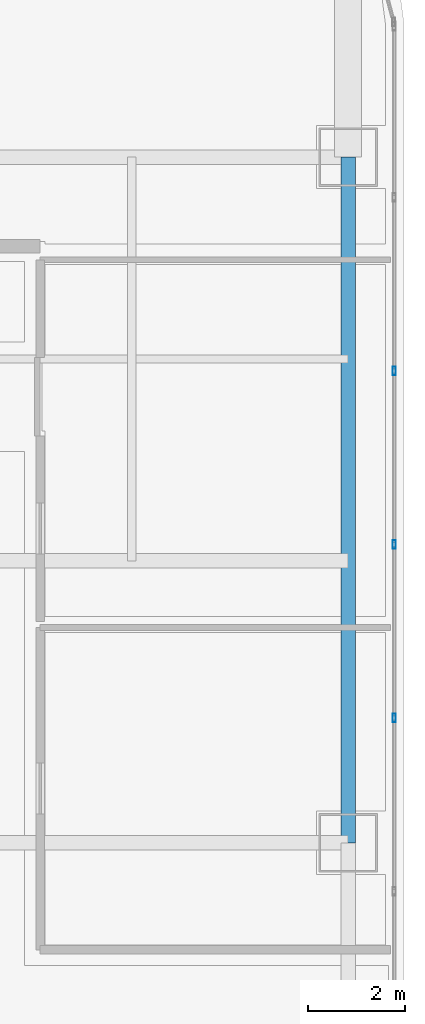
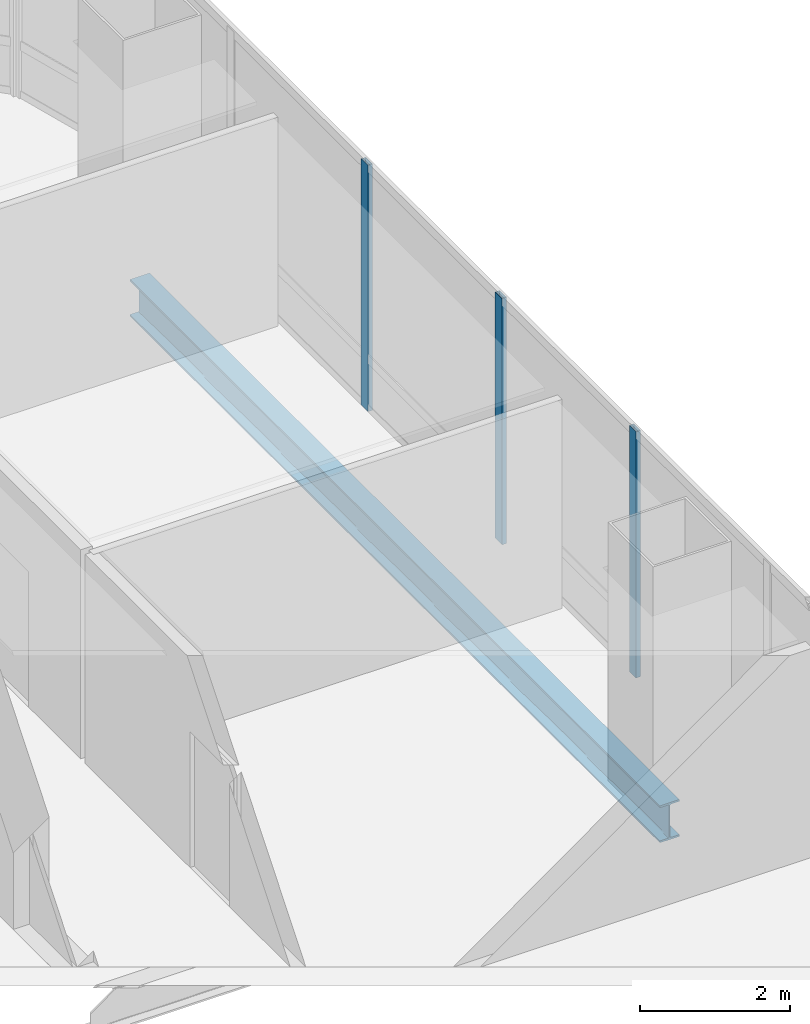
# One storey, part 20 of 42: 3 members, 1 beam, 1 element without a shape of its own.
"""IFC4 building model written with IfcOpenShell, lengths in metres."""

from ifc_helpers import new_model, si_unit, direction, frame, origin, origin_2d, place, context, subcontext, project, spatial, hollow_rectangle, i_section, extrude, material, material_profile, profile_set, type_object, element, aggregate, save


model = new_model("IFC4")

# Units and contexts
model_context = context("Model", 3, precision=1e-05, world=origin(), true_north=direction((0.0, 1.0)))
body_context = subcontext(model_context, "Body", "Model", "MODEL_VIEW")
ifc_project = project(units=[si_unit("LENGTHUNIT", "METRE"), si_unit("AREAUNIT", "SQUARE_METRE"), si_unit("VOLUMEUNIT", "CUBIC_METRE"), si_unit("PLANEANGLEUNIT", "RADIAN"), si_unit("MASSUNIT", "GRAM", prefix="KILO")], contexts=[model_context])

# Site, building, storey
site_placement = place(None, origin())
site = spatial("IfcSite", under=ifc_project, at=site_placement, CompositionType="ELEMENT")
building_placement = place(site_placement, origin())
building = spatial("IfcBuilding", under=site, at=building_placement, Name="Punatoya Terracotta Tower", CompositionType="ELEMENT")
storey_placement = place(building_placement, frame((0.0, 0.0, 304.800048828125)))
storey = spatial("IfcBuildingStorey", under=building, at=storey_placement, Name="L72", CompositionType="ELEMENT", Elevation=304.800048828125)

# Beam
ifc_material_1 = material(Name="Steel S355", Category="steel")
ifc_material_profile_1 = material_profile(ifc_material_1, i_section(OverallWidth=0.300048828125, OverallDepth=0.60009765625, WebThickness=0.015380859375, FlangeThickness=0.030029296875, FilletRadius=0.01806640625, at=origin_2d()))
ifc_profile_set_1 = profile_set([ifc_material_profile_1], Name="Steel S355")
beam_type = type_object("IfcBeamType", Name="BM-PRI-600", PredefinedType="BEAM", material=ifc_profile_set_1)
beam_placement = place(storey_placement, frame((19.10009765625, 3.39990234375, -0.5), z_axis=(0.0, 1.0, 0.0), x_axis=(-1.0, 0.0, 0.0)))
element("IfcBeam", 1, at=beam_placement, inside=storey, type_object=beam_type, Name="BM-L72-RG-E3", PredefinedType="BEAM", context=body_context, shape_type="SweptSolid", body=[
    extrude(i_section(OverallWidth=0.300048828125, OverallDepth=0.60009765625, WebThickness=0.015380859375, FlangeThickness=0.030029296875, FilletRadius=0.01806640625, at=origin_2d()), origin(), (0.0, 0.0, 1.0), 14.10009765625),
])

# Curtain wall, members
ifc_material_2 = material(Name="Aluminium 6063-T6 + Double Low-E Glass", Category="aluminium")
curtain_wall_type = type_object("IfcCurtainWallType", Name="CW-M3", PredefinedType="NOTDEFINED", material=ifc_material_2)
curtain_wall_placement = place(storey_placement, origin())
curtain_wall = element("IfcCurtainWall", 2, at=curtain_wall_placement, inside=storey, type_object=curtain_wall_type, Name="L72 Curtain Wall CW-L72-E05-1", PredefinedType="NOTDEFINED")
ifc_material_3 = material(Name="Aluminium 6063-T6", Category="aluminium")
ifc_material_profile_2 = material_profile(ifc_material_3, hollow_rectangle(XDim=0.070068359375, YDim=0.179931640625, WallThickness=0.00390625, at=origin_2d()))
ifc_profile_set_2 = profile_set([ifc_material_profile_2], Name="Aluminium 6063-T6")
member_type = type_object("IfcMemberType", Name="CW-MUL-M3", PredefinedType="MULLION", material=ifc_profile_set_2)
member_1_placement = place(storey_placement, frame((20.050048828125, 5.96728515625, 0.0), z_axis=(0.0, 0.0, 1.0), x_axis=(1.0, 0.0, 0.0)))
member_1 = element("IfcMember", 3, at=member_1_placement, type_object=member_type, Name="CW-L72-E05-1 Mullion 06", PredefinedType="MULLION", context=body_context, shape_type="SweptSolid", body=[
    extrude(hollow_rectangle(XDim=0.070068359375, YDim=0.179931640625, WallThickness=0.00390625, at=origin_2d()), origin(), (0.0, 0.0, 1.0), 4.0),
])
member_2_placement = place(storey_placement, frame((20.050048828125, 9.534912109375, 0.0), z_axis=(0.0, 0.0, 1.0), x_axis=(1.0, 0.0, 0.0)))
member_2 = element("IfcMember", 4, at=member_2_placement, type_object=member_type, Name="CW-L72-E05-1 Mullion 07", PredefinedType="MULLION", context=body_context, shape_type="SweptSolid", body=[
    extrude(hollow_rectangle(XDim=0.070068359375, YDim=0.179931640625, WallThickness=0.00390625, at=origin_2d()), origin(), (0.0, 0.0, 1.0), 4.0),
])
member_3_placement = place(storey_placement, frame((20.050048828125, 13.10205078125, 0.0), z_axis=(0.0, 0.0, 1.0), x_axis=(1.0, 0.0, 0.0)))
member_3 = element("IfcMember", 5, at=member_3_placement, type_object=member_type, Name="CW-L72-E05-1 Mullion 08", PredefinedType="MULLION", context=body_context, shape_type="SweptSolid", body=[
    extrude(hollow_rectangle(XDim=0.070068359375, YDim=0.179931640625, WallThickness=0.00390625, at=origin_2d()), origin(), (0.0, 0.0, 1.0), 4.0),
])
aggregate(curtain_wall, [member_1, member_2, member_3])

save(model, "model.ifc")
